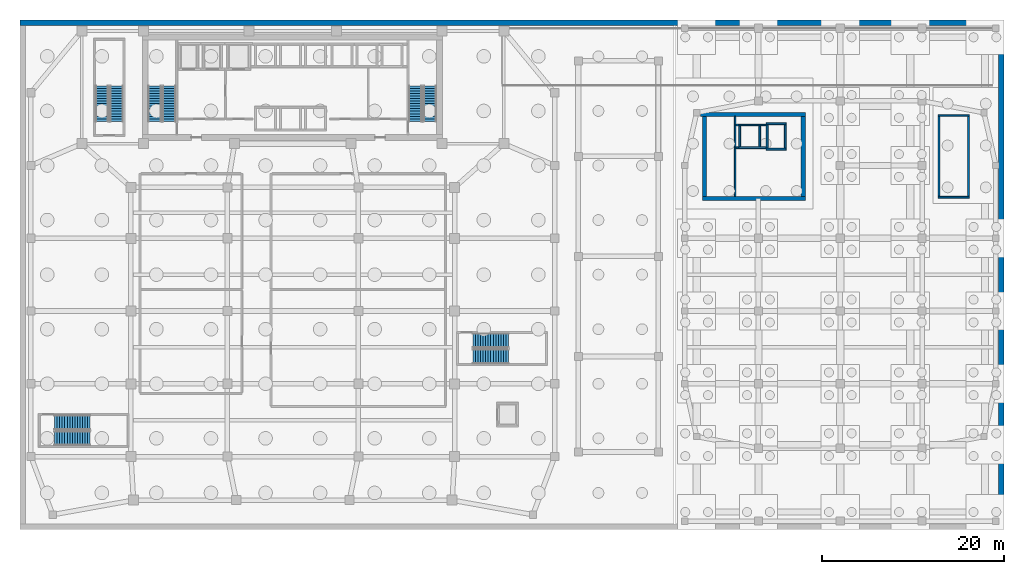
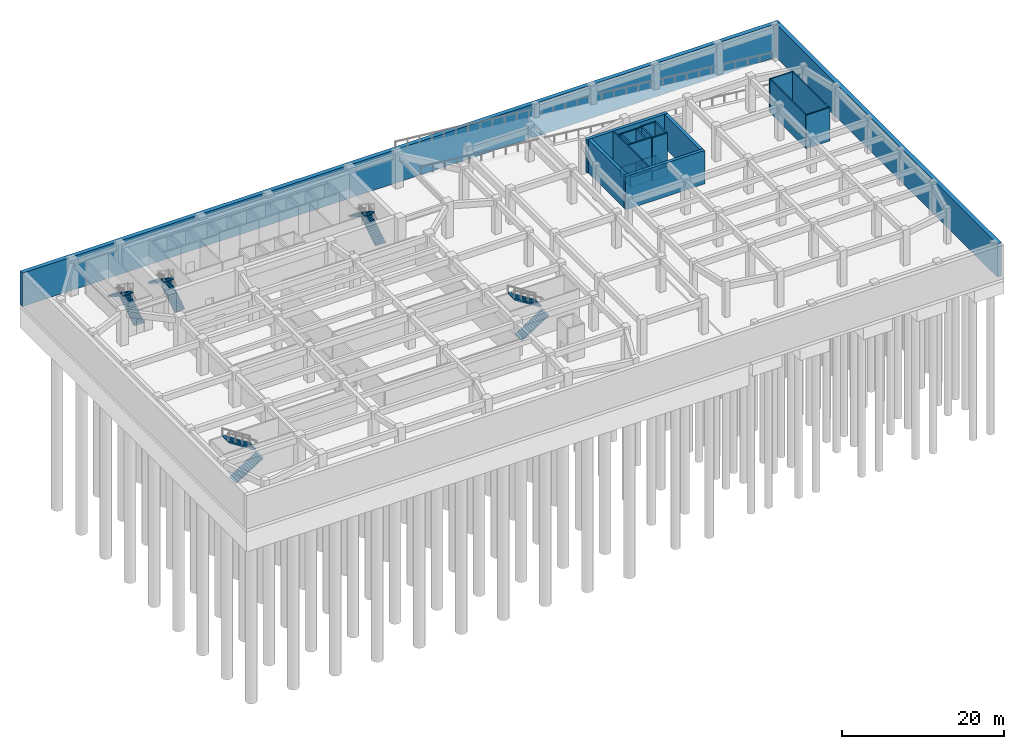
# One storey, part 12 of 18: 27 walls, 10 stair flights, 5 elements without a shape of their own.
"""IFC4 building model written with IfcOpenShell, lengths in metres."""

from ifc_helpers import new_model, si_unit, direction, frame, frame_2d, origin, place, context, subcontext, project, spatial, polyline, rectangle, outline, extrude, material, layer, layer_set, type_object, element, aggregate, save


model = new_model("IFC4")

# Units and contexts
model_context = context("Model", 3, precision=1e-05, world=origin(), true_north=direction((0.0, 1.0)))
body_context = subcontext(model_context, "Body", "Model", "MODEL_VIEW")
ifc_project = project(units=[si_unit("LENGTHUNIT", "METRE"), si_unit("AREAUNIT", "SQUARE_METRE"), si_unit("VOLUMEUNIT", "CUBIC_METRE"), si_unit("PLANEANGLEUNIT", "RADIAN"), si_unit("MASSUNIT", "GRAM", prefix="KILO")], contexts=[model_context])

# Site, building, storey
site_placement = place(None, origin())
site = spatial("IfcSite", under=ifc_project, at=site_placement, CompositionType="ELEMENT")
building_placement = place(site_placement, origin())
building = spatial("IfcBuilding", under=site, at=building_placement, Name="Saevonmaru Cultural Tower", CompositionType="ELEMENT")
storey_placement = place(building_placement, frame((0.0, 0.0, -10.800048828125)))
storey = spatial("IfcBuildingStorey", under=building, at=storey_placement, Name="B2", CompositionType="ELEMENT", Elevation=-10.800048828125)

# Walls
ifc_material_1 = material(Name="Concrete C50/60", Category="concrete")
ifc_layer_1 = layer(ifc_material_1, 0.449951171875, Name="Concrete C50/60")
ifc_layer_set_1 = layer_set([ifc_layer_1], Name="Concrete C50/60")
wall_type_1 = type_object("IfcWallType", Name="WL-LCORE-450", PredefinedType="SHEAR", material=ifc_layer_set_1)
wall_1_placement = place(storey_placement, frame((75.050048828125, 36.375, 0.0), z_axis=(0.0, 0.0, 1.0), x_axis=(1.0, 0.0, 0.0)))
element("IfcWall", 1, at=wall_1_placement, inside=storey, type_object=wall_type_1, Name="B2 Central Library RC core shear wall S", PredefinedType="SHEAR", context=body_context, shape_type="SweptSolid", body=[
    extrude(rectangle(XDim=11.300048828125, YDim=0.449951171875, at=frame_2d((5.64990234375, 0.0))), origin(), (0.0, 0.0, 1.0), 5.050048828125),
])
wall_2_placement = place(storey_placement, frame((74.85009765625, 45.625, 0.0), z_axis=(0.0, 0.0, 1.0), x_axis=(1.0, 0.0, 0.0)))
element("IfcWall", 2, at=wall_2_placement, inside=storey, type_object=wall_type_1, Name="B2 Central Library RC core shear wall N", PredefinedType="SHEAR", context=body_context, shape_type="SweptSolid", body=[
    extrude(rectangle(XDim=11.5, YDim=0.449951171875, at=frame_2d((5.75, 0.0))), origin(), (0.0, 0.0, 1.0), 5.050048828125),
])
for number, where, z_axis, x_axis, name in (
    (3, (75.27490234375, 36.60009765625, 0.0), (0.0, 0.0, 1.0), (0.0, 1.0, 0.0), "B2 Central Library RC core shear wall W"),
    (4, (86.125, 36.60009765625, 0.0), (0.0, 0.0, 1.0), (0.0, 1.0, 0.0), "B2 Central Library RC core shear wall E"),
):
    element("IfcWall", number, at=place(storey_placement, frame(where, z_axis=z_axis, x_axis=x_axis)), inside=storey, type_object=wall_type_1, Name=name, PredefinedType="SHEAR", context=body_context, shape_type="SweptSolid", body=[
        extrude(rectangle(XDim=8.7998046875, YDim=0.449951171875, at=frame_2d((4.39990234375, 0.0))), origin(), (0.0, 0.0, 1.0), 5.050048828125),
    ])
ifc_layer_2 = layer(ifc_material_1, 0.60009765625, Name="Concrete C50/60")
ifc_layer_set_2 = layer_set([ifc_layer_2], Name="Concrete C50/60")
wall_type_2 = type_object("IfcWallType", Name="WL-RET-600", PredefinedType="USERDEFINED", material=ifc_layer_set_2)
wall_3_placement = place(storey_placement, frame((0.0, 55.699951171875, 0.0), z_axis=(0.0, 0.0, 1.0), x_axis=(1.0, 0.0, 0.0)))
element("IfcWall", 5, at=wall_3_placement, inside=storey, type_object=wall_type_2, Name="B2 Basement perimeter retaining wall N", ObjectType="RETAININGWALL", PredefinedType="USERDEFINED", context=body_context, shape_type="SweptSolid", body=[
    extrude(rectangle(XDim=108.199951171875, YDim=0.60009765625, at=frame_2d((54.10009765625, 0.0))), origin(), (0.0, 0.0, 1.0), 5.050048828125),
])
wall_4_placement = place(storey_placement, frame((107.89990234375, 0.60009765625, 0.0), z_axis=(0.0, 0.0, 1.0), x_axis=(0.0, 1.0, 0.0)))
element("IfcWall", 6, at=wall_4_placement, inside=storey, type_object=wall_type_2, Name="B2 Basement perimeter retaining wall E", ObjectType="RETAININGWALL", PredefinedType="USERDEFINED", context=body_context, shape_type="SweptSolid", body=[
    extrude(rectangle(XDim=54.7998046875, YDim=0.60009765625, at=frame_2d((27.39990234375, 0.0))), origin(), (0.0, 0.0, 1.0), 5.050048828125),
])
ifc_material_2 = material(Name="Concrete C40/50", Category="concrete")
ifc_layer_3 = layer(ifc_material_2, 0.199951171875, Name="Concrete C40/50")
ifc_layer_set_3 = layer_set([ifc_layer_3], Name="Concrete C40/50")
wall_type_3 = type_object("IfcWallType", Name="WL-SHAFT-200", PredefinedType="SHEAR", material=ifc_layer_set_3)
for number, where, z_axis, x_axis, name in (
    (7, (79.050048828125, 41.949951171875, -1.47998046875), (0.0, 0.0, 1.0), (1.0, 0.0, 0.0), "Lift LLF-1 Pit Wall S"),
    (8, (79.050048828125, 44.449951171875, -1.47998046875), (0.0, 0.0, 1.0), (1.0, 0.0, 0.0), "Lift LLF-1 Pit Wall N"),
):
    element("IfcWall", number, at=place(storey_placement, frame(where, z_axis=z_axis, x_axis=x_axis)), inside=storey, type_object=wall_type_3, Name=name, PredefinedType="SHEAR", context=body_context, shape_type="SweptSolid", body=[
        extrude(rectangle(XDim=3.0, YDim=0.199951171875, at=frame_2d((1.5, 0.0))), origin(), (0.0, 0.0, 1.0), 1.47998046875),
    ])
for number, where, z_axis, x_axis, name in (
    (9, (79.14990234375, 42.050048828125, -1.47998046875), (0.0, 0.0, 1.0), (0.0, 1.0, 0.0), "Lift LLF-1 Pit Wall W"),
    (10, (81.35009765625, 42.050048828125, -1.47998046875), (0.0, 0.0, 1.0), (0.0, 1.0, 0.0), "Lift LLF-1 Pit Wall E"),
):
    element("IfcWall", number, at=place(storey_placement, frame(where, z_axis=z_axis, x_axis=x_axis)), inside=storey, type_object=wall_type_3, Name=name, PredefinedType="SHEAR", context=body_context, shape_type="SweptSolid", body=[
        extrude(rectangle(XDim=2.300048828125, YDim=0.199951171875, at=frame_2d((1.14990234375, 0.0))), origin(), (0.0, 0.0, 1.0), 1.47998046875),
    ])
for number, where, z_axis, x_axis, name in (
    (11, (78.72998046875, 41.949951171875, 0.0), (0.0, 0.0, 1.0), (1.0, 0.0, 0.0), "B2 Lift LLF-1 Hoistway Wall S"),
    (12, (78.72998046875, 44.449951171875, 0.0), (0.0, 0.0, 1.0), (1.0, 0.0, 0.0), "B2 Lift LLF-1 Hoistway Wall N"),
):
    element("IfcWall", number, at=place(storey_placement, frame(where, z_axis=z_axis, x_axis=x_axis)), inside=storey, type_object=wall_type_3, Name=name, PredefinedType="SHEAR", context=body_context, shape_type="SweptSolid", body=[
        extrude(rectangle(XDim=3.320068359375, YDim=0.199951171875, at=frame_2d((1.66015625, 0.0))), origin(), (0.0, 0.0, 1.0), 5.050048828125),
    ])
for number, where, z_axis, x_axis, name in (
    (13, (79.14990234375, 42.050048828125, 0.0), (0.0, 0.0, 1.0), (0.0, 1.0, 0.0), "B2 Lift LLF-1 Hoistway Wall W"),
    (14, (81.35009765625, 42.050048828125, 0.0), (0.0, 0.0, 1.0), (0.0, 1.0, 0.0), "B2 Lift LLF-1 Hoistway Wall E"),
):
    element("IfcWall", number, at=place(storey_placement, frame(where, z_axis=z_axis, x_axis=x_axis)), inside=storey, type_object=wall_type_3, Name=name, PredefinedType="SHEAR", context=body_context, shape_type="SweptSolid", body=[
        extrude(rectangle(XDim=2.300048828125, YDim=0.199951171875, at=frame_2d((1.14990234375, 0.0))), origin(), (0.0, 0.0, 1.0), 5.050048828125),
    ])
for number, where, z_axis, x_axis, name in (
    (15, (82.050048828125, 41.800048828125, -1.47998046875), (0.0, 0.0, 1.0), (1.0, 0.0, 0.0), "Lift LLF-2 Pit Wall S"),
    (16, (82.050048828125, 44.60009765625, -1.47998046875), (0.0, 0.0, 1.0), (1.0, 0.0, 0.0), "Lift LLF-2 Pit Wall N"),
):
    element("IfcWall", number, at=place(storey_placement, frame(where, z_axis=z_axis, x_axis=x_axis)), inside=storey, type_object=wall_type_3, Name=name, PredefinedType="SHEAR", context=body_context, shape_type="SweptSolid", body=[
        extrude(rectangle(XDim=2.199951171875, YDim=0.199951171875, at=frame_2d((1.10009765625, 0.0))), origin(), (0.0, 0.0, 1.0), 1.47998046875),
    ])
for number, where, z_axis, x_axis, name in (
    (17, (82.14990234375, 41.89990234375, -1.47998046875), (0.0, 0.0, 1.0), (0.0, 1.0, 0.0), "Lift LLF-2 Pit Wall W"),
    (18, (84.14990234375, 41.89990234375, -1.47998046875), (0.0, 0.0, 1.0), (0.0, 1.0, 0.0), "Lift LLF-2 Pit Wall E"),
):
    element("IfcWall", number, at=place(storey_placement, frame(where, z_axis=z_axis, x_axis=x_axis)), inside=storey, type_object=wall_type_3, Name=name, PredefinedType="SHEAR", context=body_context, shape_type="SweptSolid", body=[
        extrude(rectangle(XDim=2.60009765625, YDim=0.199951171875, at=frame_2d((1.300048828125, 0.0))), origin(), (0.0, 0.0, 1.0), 1.47998046875),
    ])
for number, where, z_axis, x_axis, name in (
    (19, (82.050048828125, 41.800048828125, 0.0), (0.0, 0.0, 1.0), (1.0, 0.0, 0.0), "B2 Lift LLF-2 Hoistway Wall S"),
    (20, (82.050048828125, 44.60009765625, 0.0), (0.0, 0.0, 1.0), (1.0, 0.0, 0.0), "B2 Lift LLF-2 Hoistway Wall N"),
):
    element("IfcWall", number, at=place(storey_placement, frame(where, z_axis=z_axis, x_axis=x_axis)), inside=storey, type_object=wall_type_3, Name=name, PredefinedType="SHEAR", context=body_context, shape_type="SweptSolid", body=[
        extrude(rectangle(XDim=2.199951171875, YDim=0.199951171875, at=frame_2d((1.10009765625, 0.0))), origin(), (0.0, 0.0, 1.0), 5.050048828125),
    ])
for number, where, z_axis, x_axis, name in (
    (21, (82.14990234375, 41.89990234375, 0.0), (0.0, 0.0, 1.0), (0.0, 1.0, 0.0), "B2 Lift LLF-2 Hoistway Wall W"),
    (22, (84.14990234375, 41.89990234375, 0.0), (0.0, 0.0, 1.0), (0.0, 1.0, 0.0), "B2 Lift LLF-2 Hoistway Wall E"),
):
    element("IfcWall", number, at=place(storey_placement, frame(where, z_axis=z_axis, x_axis=x_axis)), inside=storey, type_object=wall_type_3, Name=name, PredefinedType="SHEAR", context=body_context, shape_type="SweptSolid", body=[
        extrude(rectangle(XDim=2.60009765625, YDim=0.199951171875, at=frame_2d((1.300048828125, 0.0))), origin(), (0.0, 0.0, 1.0), 5.050048828125),
    ])
ifc_layer_4 = layer(ifc_material_2, 0.179931640625, Name="Concrete C40/50")
ifc_layer_set_4 = layer_set([ifc_layer_4], Name="Concrete C40/50")
wall_type_4 = type_object("IfcWallType", Name="WL-STSHAFT-180", PredefinedType="SHEAR", material=ifc_layer_set_4)
for number, where, z_axis, x_axis, name in (
    (23, (78.639892578125, 36.60009765625, 0.0), (0.0, 0.0, 1.0), (0.0, 1.0, 0.0), "B2 Stair LST-1 Structural Shaft Wall 1"),
    (24, (101.06005859375, 45.39990234375, 0.0), (0.0, 0.0, 1.0), (0.0, -1.0, 0.0), "B2 Stair LST-2 Structural Shaft Wall 1"),
):
    element("IfcWall", number, at=place(storey_placement, frame(where, z_axis=z_axis, x_axis=x_axis)), inside=storey, type_object=wall_type_4, Name=name, PredefinedType="SHEAR", context=body_context, shape_type="SweptSolid", body=[
        extrude(rectangle(XDim=8.7998046875, YDim=0.179931640625, at=frame_2d((4.39990234375, 0.0))), origin(), (0.0, 0.0, 1.0), 5.050048828125),
    ])
wall_5_placement = place(storey_placement, frame((100.969970703125, 36.510009765625, 0.0), z_axis=(0.0, 0.0, 1.0), x_axis=(1.0, 0.0, 0.0)))
element("IfcWall", 25, at=wall_5_placement, inside=storey, type_object=wall_type_4, Name="B2 Stair LST-2 Structural Shaft Wall 2", PredefinedType="SHEAR", context=body_context, shape_type="SweptSolid", body=[
    extrude(rectangle(XDim=3.409912109375, YDim=0.179931640625, at=frame_2d((1.705078125, 0.0))), origin(), (0.0, 0.0, 1.0), 5.050048828125),
])
wall_6_placement = place(storey_placement, frame((104.2900390625, 36.60009765625, 0.0), z_axis=(0.0, 0.0, 1.0), x_axis=(0.0, 1.0, 0.0)))
element("IfcWall", 26, at=wall_6_placement, inside=storey, type_object=wall_type_4, Name="B2 Stair LST-2 Structural Shaft Wall 3", PredefinedType="SHEAR", context=body_context, shape_type="SweptSolid", body=[
    extrude(rectangle(XDim=8.7998046875, YDim=0.179931640625, at=frame_2d((4.39990234375, 0.0))), origin(), (0.0, 0.0, 1.0), 5.050048828125),
])
wall_7_placement = place(storey_placement, frame((104.3798828125, 45.489990234375, 0.0), z_axis=(0.0, 0.0, 1.0), x_axis=(-1.0, 0.0, 0.0)))
element("IfcWall", 27, at=wall_7_placement, inside=storey, type_object=wall_type_4, Name="B2 Stair LST-2 Structural Shaft Wall 4", PredefinedType="SHEAR", context=body_context, shape_type="SweptSolid", body=[
    extrude(rectangle(XDim=3.409912109375, YDim=0.179931640625, at=frame_2d((1.705078125, 0.0))), origin(), (0.0, 0.0, 1.0), 5.050048828125),
])

# Stair, stair flights
stair_type_1 = type_object("IfcStairType", Name="STR-DOGLEG-RC-1600", PredefinedType="HALF_TURN_STAIR", material=ifc_material_2)
stair_1_placement = place(storey_placement, origin())
stair_1 = element("IfcStair", 28, at=stair_1_placement, inside=storey, type_object=stair_type_1, Name="B2 Protected exit stair SST-1", PredefinedType="HALF_TURN_STAIR")
ifc_material_3 = material(Name="Precast concrete C40/50", Category="concrete")
stair_flight_type_1 = type_object("IfcStairFlightType", Name="STF-PRECAST-1600", PredefinedType="STRAIGHT", material=ifc_material_3)
stair_flight_1_placement = place(storey_placement, frame((3.800048828125, 10.0, 0.0), z_axis=(0.0, 0.0, 1.0), x_axis=(1.0, 0.0, 0.0)))
stair_flight_1 = element("IfcStairFlight", 29, at=stair_flight_1_placement, type_object=stair_flight_type_1, Name="SST-1-B2 flight 1", NumberOfRisers=15, NumberOfTreads=14, PredefinedType="STRAIGHT", RiserHeight=0.18, TreadLength=0.28, context=body_context, shape_type="SweptSolid", body=[
    extrude(outline(polyline([(0.0, 0.0), (0.0, 0.179931640625), (0.280029296875, 0.179931640625), (0.280029296875, 0.360107421875), (0.56005859375, 0.360107421875), (0.56005859375, 0.5400390625), (0.840087890625, 0.5400390625), (0.840087890625, 0.719970703125), (1.1201171875, 0.719970703125), (1.1201171875, 0.89990234375), (1.39990234375, 0.89990234375), (1.39990234375, 1.080078125), (1.679931640625, 1.080078125), (1.679931640625, 1.260009765625), (1.9599609375, 1.260009765625), (1.9599609375, 1.43994140625), (2.239990234375, 1.43994140625), (2.239990234375, 1.6201171875), (2.52001953125, 1.6201171875), (2.52001953125, 1.800048828125), (2.800048828125, 1.800048828125), (2.800048828125, 1.97998046875), (3.080078125, 1.97998046875), (3.080078125, 2.159912109375), (3.360107421875, 2.159912109375), (3.360107421875, 2.340087890625), (3.639892578125, 2.340087890625), (3.639892578125, 2.52001953125), (3.919921875, 2.52001953125), (3.919921875, 2.699951171875), (3.919921875, 2.341796875), (0.277099609375, 0.0), (0.0, 0.0)])), frame((0.0, 0.800048828125, 0.0), z_axis=(0.0, -1.0, 0.0), x_axis=(1.0, 0.0, 0.0)), (0.0, 0.0, 1.0), 1.60009765625),
])
stair_flight_2_placement = place(storey_placement, frame((7.719970703125, 11.75, 2.699951171875), z_axis=(0.0, 0.0, 1.0), x_axis=(-1.0, 0.0, 0.0)))
stair_flight_2 = element("IfcStairFlight", 30, at=stair_flight_2_placement, type_object=stair_flight_type_1, Name="SST-1-B2 flight 2", NumberOfRisers=15, NumberOfTreads=14, PredefinedType="STRAIGHT", RiserHeight=0.18, TreadLength=0.28, context=body_context, shape_type="SweptSolid", body=[
    extrude(outline(polyline([(0.0, 0.0), (0.0, 0.179931640625), (0.280029296875, 0.179931640625), (0.280029296875, 0.360107421875), (0.56005859375, 0.360107421875), (0.56005859375, 0.5400390625), (0.840087890625, 0.5400390625), (0.840087890625, 0.719970703125), (1.1201171875, 0.719970703125), (1.1201171875, 0.89990234375), (1.39990234375, 0.89990234375), (1.39990234375, 1.080078125), (1.679931640625, 1.080078125), (1.679931640625, 1.260009765625), (1.9599609375, 1.260009765625), (1.9599609375, 1.43994140625), (2.239990234375, 1.43994140625), (2.239990234375, 1.6201171875), (2.52001953125, 1.6201171875), (2.52001953125, 1.800048828125), (2.800048828125, 1.800048828125), (2.800048828125, 1.97998046875), (3.080078125, 1.97998046875), (3.080078125, 2.159912109375), (3.360107421875, 2.159912109375), (3.360107421875, 2.340087890625), (3.639892578125, 2.340087890625), (3.639892578125, 2.52001953125), (3.919921875, 2.52001953125), (3.919921875, 2.699951171875), (3.919921875, 2.341796875), (0.277099609375, 0.0), (0.0, 0.0)])), frame((0.0, 0.800048828125, 0.0), z_axis=(0.0, -1.0, 0.0), x_axis=(1.0, 0.0, 0.0)), (0.0, 0.0, 1.0), 1.60009765625),
])
aggregate(stair_1, [stair_flight_1, stair_flight_2])

stair_2_placement = place(storey_placement, origin())
stair_2 = element("IfcStair", 31, at=stair_2_placement, inside=storey, type_object=stair_type_1, Name="B2 Protected exit stair SST-2", PredefinedType="HALF_TURN_STAIR")
stair_flight_3_placement = place(storey_placement, frame((49.800048828125, 19.0, 0.0), z_axis=(0.0, 0.0, 1.0), x_axis=(1.0, 0.0, 0.0)))
stair_flight_3 = element("IfcStairFlight", 32, at=stair_flight_3_placement, type_object=stair_flight_type_1, Name="SST-2-B2 flight 1", NumberOfRisers=15, NumberOfTreads=14, PredefinedType="STRAIGHT", RiserHeight=0.18, TreadLength=0.28, context=body_context, shape_type="SweptSolid", body=[
    extrude(outline(polyline([(0.0, 0.0), (0.0, 0.179931640625), (0.280029296875, 0.179931640625), (0.280029296875, 0.360107421875), (0.56005859375, 0.360107421875), (0.56005859375, 0.5400390625), (0.840087890625, 0.5400390625), (0.840087890625, 0.719970703125), (1.1201171875, 0.719970703125), (1.1201171875, 0.89990234375), (1.39990234375, 0.89990234375), (1.39990234375, 1.080078125), (1.679931640625, 1.080078125), (1.679931640625, 1.260009765625), (1.9599609375, 1.260009765625), (1.9599609375, 1.43994140625), (2.239990234375, 1.43994140625), (2.239990234375, 1.6201171875), (2.52001953125, 1.6201171875), (2.52001953125, 1.800048828125), (2.800048828125, 1.800048828125), (2.800048828125, 1.97998046875), (3.080078125, 1.97998046875), (3.080078125, 2.159912109375), (3.360107421875, 2.159912109375), (3.360107421875, 2.340087890625), (3.639892578125, 2.340087890625), (3.639892578125, 2.52001953125), (3.919921875, 2.52001953125), (3.919921875, 2.699951171875), (3.919921875, 2.341796875), (0.277099609375, 0.0), (0.0, 0.0)])), frame((0.0, 0.800048828125, 0.0), z_axis=(0.0, -1.0, 0.0), x_axis=(1.0, 0.0, 0.0)), (0.0, 0.0, 1.0), 1.60009765625),
])
stair_flight_4_placement = place(storey_placement, frame((53.719970703125, 20.75, 2.699951171875), z_axis=(0.0, 0.0, 1.0), x_axis=(-1.0, 0.0, 0.0)))
stair_flight_4 = element("IfcStairFlight", 33, at=stair_flight_4_placement, type_object=stair_flight_type_1, Name="SST-2-B2 flight 2", NumberOfRisers=15, NumberOfTreads=14, PredefinedType="STRAIGHT", RiserHeight=0.18, TreadLength=0.28, context=body_context, shape_type="SweptSolid", body=[
    extrude(outline(polyline([(0.0, 0.0), (0.0, 0.179931640625), (0.280029296875, 0.179931640625), (0.280029296875, 0.360107421875), (0.56005859375, 0.360107421875), (0.56005859375, 0.5400390625), (0.840087890625, 0.5400390625), (0.840087890625, 0.719970703125), (1.1201171875, 0.719970703125), (1.1201171875, 0.89990234375), (1.39990234375, 0.89990234375), (1.39990234375, 1.080078125), (1.679931640625, 1.080078125), (1.679931640625, 1.260009765625), (1.9599609375, 1.260009765625), (1.9599609375, 1.43994140625), (2.239990234375, 1.43994140625), (2.239990234375, 1.6201171875), (2.52001953125, 1.6201171875), (2.52001953125, 1.800048828125), (2.800048828125, 1.800048828125), (2.800048828125, 1.97998046875), (3.080078125, 1.97998046875), (3.080078125, 2.159912109375), (3.360107421875, 2.159912109375), (3.360107421875, 2.340087890625), (3.639892578125, 2.340087890625), (3.639892578125, 2.52001953125), (3.919921875, 2.52001953125), (3.919921875, 2.699951171875), (3.919921875, 2.341796875), (0.277099609375, 0.0), (0.0, 0.0)])), frame((0.0, 0.800048828125, 0.0), z_axis=(0.0, -1.0, 0.0), x_axis=(1.0, 0.0, 0.0)), (0.0, 0.0, 1.0), 1.60009765625),
])
aggregate(stair_2, [stair_flight_3, stair_flight_4])

stair_type_2 = type_object("IfcStairType", Name="STR-DOGLEG-RC", PredefinedType="HALF_TURN_STAIR", material=ifc_material_2)
stair_3_placement = place(storey_placement, origin())
stair_3 = element("IfcStair", 34, at=stair_3_placement, inside=storey, type_object=stair_type_2, Name="B2 Protected exit stair ST-1", PredefinedType="HALF_TURN_STAIR")
stair_flight_type_2 = type_object("IfcStairFlightType", Name="STF-PRECAST-180", PredefinedType="STRAIGHT", material=ifc_material_3)
stair_flight_5_placement = place(storey_placement, frame((16.425048828125, 44.85009765625, 0.0), z_axis=(0.0, 0.0, 1.0), x_axis=(0.0, 1.0, 0.0)))
stair_flight_5 = element("IfcStairFlight", 35, at=stair_flight_5_placement, type_object=stair_flight_type_2, Name="ST-1-B2 flight 1", NumberOfRisers=15, NumberOfTreads=14, PredefinedType="STRAIGHT", RiserHeight=0.18, TreadLength=0.28, context=body_context, shape_type="SweptSolid", body=[
    extrude(outline(polyline([(0.0, 0.0), (0.0, 0.179931640625), (0.280029296875, 0.179931640625), (0.280029296875, 0.360107421875), (0.56005859375, 0.360107421875), (0.56005859375, 0.5400390625), (0.840087890625, 0.5400390625), (0.840087890625, 0.719970703125), (1.1201171875, 0.719970703125), (1.1201171875, 0.89990234375), (1.39990234375, 0.89990234375), (1.39990234375, 1.080078125), (1.679931640625, 1.080078125), (1.679931640625, 1.260009765625), (1.9599609375, 1.260009765625), (1.9599609375, 1.43994140625), (2.239990234375, 1.43994140625), (2.239990234375, 1.6201171875), (2.52001953125, 1.6201171875), (2.52001953125, 1.800048828125), (2.800048828125, 1.800048828125), (2.800048828125, 1.97998046875), (3.080078125, 1.97998046875), (3.080078125, 2.159912109375), (3.360107421875, 2.159912109375), (3.360107421875, 2.340087890625), (3.639892578125, 2.340087890625), (3.639892578125, 2.52001953125), (3.919921875, 2.52001953125), (3.919921875, 2.699951171875), (3.919921875, 2.341796875), (0.277099609375, 0.0), (0.0, 0.0)])), frame((0.0, 0.72509765625, 0.0), z_axis=(0.0, -1.0, 0.0), x_axis=(1.0, 0.0, 0.0)), (0.0, 0.0, 1.0), 1.449951171875),
])
stair_flight_6_placement = place(storey_placement, frame((14.824951171875, 48.77001953125, 2.699951171875), z_axis=(0.0, 0.0, 1.0), x_axis=(0.0, -1.0, 0.0)))
stair_flight_6 = element("IfcStairFlight", 36, at=stair_flight_6_placement, type_object=stair_flight_type_2, Name="ST-1-B2 flight 2", NumberOfRisers=15, NumberOfTreads=14, PredefinedType="STRAIGHT", RiserHeight=0.18, TreadLength=0.28, context=body_context, shape_type="SweptSolid", body=[
    extrude(outline(polyline([(0.0, 0.0), (0.0, 0.179931640625), (0.280029296875, 0.179931640625), (0.280029296875, 0.360107421875), (0.56005859375, 0.360107421875), (0.56005859375, 0.5400390625), (0.840087890625, 0.5400390625), (0.840087890625, 0.719970703125), (1.1201171875, 0.719970703125), (1.1201171875, 0.89990234375), (1.39990234375, 0.89990234375), (1.39990234375, 1.080078125), (1.679931640625, 1.080078125), (1.679931640625, 1.260009765625), (1.9599609375, 1.260009765625), (1.9599609375, 1.43994140625), (2.239990234375, 1.43994140625), (2.239990234375, 1.6201171875), (2.52001953125, 1.6201171875), (2.52001953125, 1.800048828125), (2.800048828125, 1.800048828125), (2.800048828125, 1.97998046875), (3.080078125, 1.97998046875), (3.080078125, 2.159912109375), (3.360107421875, 2.159912109375), (3.360107421875, 2.340087890625), (3.639892578125, 2.340087890625), (3.639892578125, 2.52001953125), (3.919921875, 2.52001953125), (3.919921875, 2.699951171875), (3.919921875, 2.341796875), (0.277099609375, 0.0), (0.0, 0.0)])), frame((0.0, 0.72509765625, 0.0), z_axis=(0.0, -1.0, 0.0), x_axis=(1.0, 0.0, 0.0)), (0.0, 0.0, 1.0), 1.449951171875),
])
aggregate(stair_3, [stair_flight_5, stair_flight_6])

stair_4_placement = place(storey_placement, origin())
stair_4 = element("IfcStair", 37, at=stair_4_placement, inside=storey, type_object=stair_type_2, Name="B2 Protected exit stair ST-2", PredefinedType="HALF_TURN_STAIR")
stair_flight_7_placement = place(storey_placement, frame((45.074951171875, 44.85009765625, 0.0), z_axis=(0.0, 0.0, 1.0), x_axis=(0.0, 1.0, 0.0)))
stair_flight_7 = element("IfcStairFlight", 38, at=stair_flight_7_placement, type_object=stair_flight_type_2, Name="ST-2-B2 flight 1", NumberOfRisers=15, NumberOfTreads=14, PredefinedType="STRAIGHT", RiserHeight=0.18, TreadLength=0.28, context=body_context, shape_type="SweptSolid", body=[
    extrude(outline(polyline([(0.0, 0.0), (0.0, 0.179931640625), (0.280029296875, 0.179931640625), (0.280029296875, 0.360107421875), (0.56005859375, 0.360107421875), (0.56005859375, 0.5400390625), (0.840087890625, 0.5400390625), (0.840087890625, 0.719970703125), (1.1201171875, 0.719970703125), (1.1201171875, 0.89990234375), (1.39990234375, 0.89990234375), (1.39990234375, 1.080078125), (1.679931640625, 1.080078125), (1.679931640625, 1.260009765625), (1.9599609375, 1.260009765625), (1.9599609375, 1.43994140625), (2.239990234375, 1.43994140625), (2.239990234375, 1.6201171875), (2.52001953125, 1.6201171875), (2.52001953125, 1.800048828125), (2.800048828125, 1.800048828125), (2.800048828125, 1.97998046875), (3.080078125, 1.97998046875), (3.080078125, 2.159912109375), (3.360107421875, 2.159912109375), (3.360107421875, 2.340087890625), (3.639892578125, 2.340087890625), (3.639892578125, 2.52001953125), (3.919921875, 2.52001953125), (3.919921875, 2.699951171875), (3.919921875, 2.341796875), (0.277099609375, 0.0), (0.0, 0.0)])), frame((0.0, 0.72509765625, 0.0), z_axis=(0.0, -1.0, 0.0), x_axis=(1.0, 0.0, 0.0)), (0.0, 0.0, 1.0), 1.449951171875),
])
stair_flight_8_placement = place(storey_placement, frame((43.47509765625, 48.77001953125, 2.699951171875), z_axis=(0.0, 0.0, 1.0), x_axis=(0.0, -1.0, 0.0)))
stair_flight_8 = element("IfcStairFlight", 39, at=stair_flight_8_placement, type_object=stair_flight_type_2, Name="ST-2-B2 flight 2", NumberOfRisers=15, NumberOfTreads=14, PredefinedType="STRAIGHT", RiserHeight=0.18, TreadLength=0.28, context=body_context, shape_type="SweptSolid", body=[
    extrude(outline(polyline([(0.0, 0.0), (0.0, 0.179931640625), (0.280029296875, 0.179931640625), (0.280029296875, 0.360107421875), (0.56005859375, 0.360107421875), (0.56005859375, 0.5400390625), (0.840087890625, 0.5400390625), (0.840087890625, 0.719970703125), (1.1201171875, 0.719970703125), (1.1201171875, 0.89990234375), (1.39990234375, 0.89990234375), (1.39990234375, 1.080078125), (1.679931640625, 1.080078125), (1.679931640625, 1.260009765625), (1.9599609375, 1.260009765625), (1.9599609375, 1.43994140625), (2.239990234375, 1.43994140625), (2.239990234375, 1.6201171875), (2.52001953125, 1.6201171875), (2.52001953125, 1.800048828125), (2.800048828125, 1.800048828125), (2.800048828125, 1.97998046875), (3.080078125, 1.97998046875), (3.080078125, 2.159912109375), (3.360107421875, 2.159912109375), (3.360107421875, 2.340087890625), (3.639892578125, 2.340087890625), (3.639892578125, 2.52001953125), (3.919921875, 2.52001953125), (3.919921875, 2.699951171875), (3.919921875, 2.341796875), (0.277099609375, 0.0), (0.0, 0.0)])), frame((0.0, 0.72509765625, 0.0), z_axis=(0.0, -1.0, 0.0), x_axis=(1.0, 0.0, 0.0)), (0.0, 0.0, 1.0), 1.449951171875),
])
aggregate(stair_4, [stair_flight_7, stair_flight_8])

stair_5_placement = place(storey_placement, origin())
stair_5 = element("IfcStair", 40, at=stair_5_placement, inside=storey, type_object=stair_type_2, Name="B2 Protected exit stair ST-3", PredefinedType="HALF_TURN_STAIR")
stair_flight_9_placement = place(storey_placement, frame((10.625, 44.85009765625, 0.0), z_axis=(0.0, 0.0, 1.0), x_axis=(0.0, 1.0, 0.0)))
stair_flight_9 = element("IfcStairFlight", 41, at=stair_flight_9_placement, type_object=stair_flight_type_2, Name="ST-3-B2 flight 1", NumberOfRisers=15, NumberOfTreads=14, PredefinedType="STRAIGHT", RiserHeight=0.18, TreadLength=0.28, context=body_context, shape_type="SweptSolid", body=[
    extrude(outline(polyline([(0.0, 0.0), (0.0, 0.179931640625), (0.280029296875, 0.179931640625), (0.280029296875, 0.360107421875), (0.56005859375, 0.360107421875), (0.56005859375, 0.5400390625), (0.840087890625, 0.5400390625), (0.840087890625, 0.719970703125), (1.1201171875, 0.719970703125), (1.1201171875, 0.89990234375), (1.39990234375, 0.89990234375), (1.39990234375, 1.080078125), (1.679931640625, 1.080078125), (1.679931640625, 1.260009765625), (1.9599609375, 1.260009765625), (1.9599609375, 1.43994140625), (2.239990234375, 1.43994140625), (2.239990234375, 1.6201171875), (2.52001953125, 1.6201171875), (2.52001953125, 1.800048828125), (2.800048828125, 1.800048828125), (2.800048828125, 1.97998046875), (3.080078125, 1.97998046875), (3.080078125, 2.159912109375), (3.360107421875, 2.159912109375), (3.360107421875, 2.340087890625), (3.639892578125, 2.340087890625), (3.639892578125, 2.52001953125), (3.919921875, 2.52001953125), (3.919921875, 2.699951171875), (3.919921875, 2.341796875), (0.277099609375, 0.0), (0.0, 0.0)])), frame((0.0, 0.72509765625, 0.0), z_axis=(0.0, -1.0, 0.0), x_axis=(1.0, 0.0, 0.0)), (0.0, 0.0, 1.0), 1.449951171875),
])
stair_flight_10_placement = place(storey_placement, frame((9.02490234375, 48.77001953125, 2.699951171875), z_axis=(0.0, 0.0, 1.0), x_axis=(0.0, -1.0, 0.0)))
stair_flight_10 = element("IfcStairFlight", 42, at=stair_flight_10_placement, type_object=stair_flight_type_2, Name="ST-3-B2 flight 2", NumberOfRisers=15, NumberOfTreads=14, PredefinedType="STRAIGHT", RiserHeight=0.18, TreadLength=0.28, context=body_context, shape_type="SweptSolid", body=[
    extrude(outline(polyline([(0.0, 0.0), (0.0, 0.179931640625), (0.280029296875, 0.179931640625), (0.280029296875, 0.360107421875), (0.56005859375, 0.360107421875), (0.56005859375, 0.5400390625), (0.840087890625, 0.5400390625), (0.840087890625, 0.719970703125), (1.1201171875, 0.719970703125), (1.1201171875, 0.89990234375), (1.39990234375, 0.89990234375), (1.39990234375, 1.080078125), (1.679931640625, 1.080078125), (1.679931640625, 1.260009765625), (1.9599609375, 1.260009765625), (1.9599609375, 1.43994140625), (2.239990234375, 1.43994140625), (2.239990234375, 1.6201171875), (2.52001953125, 1.6201171875), (2.52001953125, 1.800048828125), (2.800048828125, 1.800048828125), (2.800048828125, 1.97998046875), (3.080078125, 1.97998046875), (3.080078125, 2.159912109375), (3.360107421875, 2.159912109375), (3.360107421875, 2.340087890625), (3.639892578125, 2.340087890625), (3.639892578125, 2.52001953125), (3.919921875, 2.52001953125), (3.919921875, 2.699951171875), (3.919921875, 2.341796875), (0.277099609375, 0.0), (0.0, 0.0)])), frame((0.0, 0.72509765625, 0.0), z_axis=(0.0, -1.0, 0.0), x_axis=(1.0, 0.0, 0.0)), (0.0, 0.0, 1.0), 1.449951171875),
])
aggregate(stair_5, [stair_flight_9, stair_flight_10])

save(model, "model.ifc")
